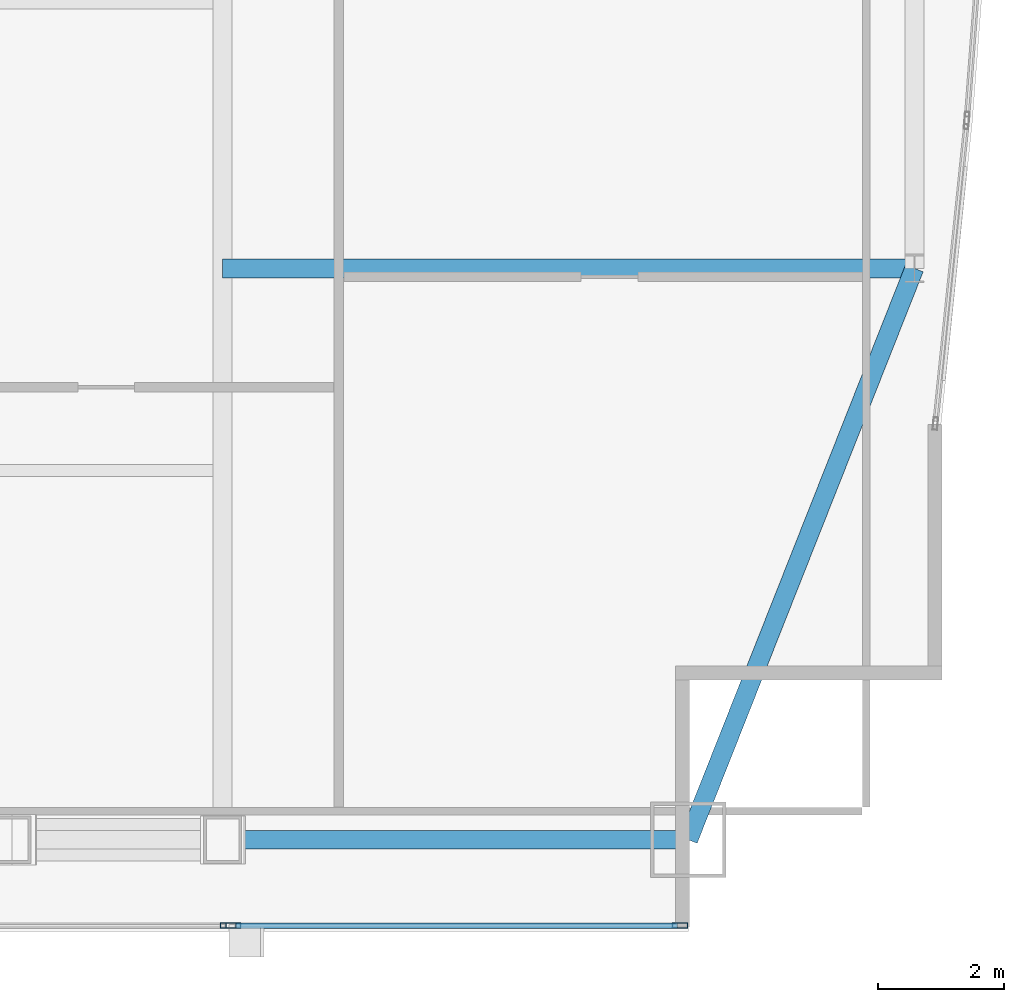
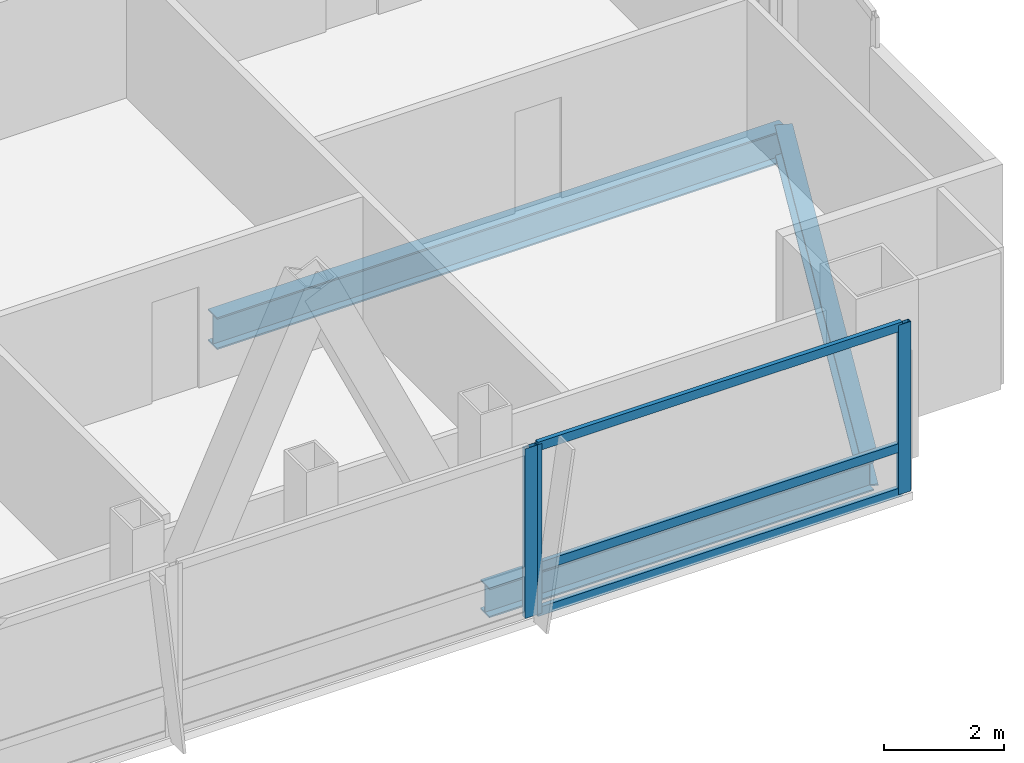
# One storey, part 16 of 32: 6 members, 3 beams, 2 elements without a shape of their own.
"""IFC4 building model written with IfcOpenShell, lengths in metres."""

from ifc_helpers import new_model, si_unit, direction, frame, origin, origin_2d, place, context, subcontext, project, spatial, hollow_rectangle, i_section, extrude, material, material_profile, profile_set, type_object, element, aggregate, save


model = new_model("IFC4")

# Units and contexts
model_context = context("Model", 3, precision=1e-05, world=origin(), true_north=direction((0.0, 1.0)))
body_context = subcontext(model_context, "Body", "Model", "MODEL_VIEW")
ifc_project = project(units=[si_unit("LENGTHUNIT", "METRE"), si_unit("AREAUNIT", "SQUARE_METRE"), si_unit("VOLUMEUNIT", "CUBIC_METRE"), si_unit("PLANEANGLEUNIT", "RADIAN"), si_unit("MASSUNIT", "GRAM", prefix="KILO")], contexts=[model_context])

# Site, building, storey
site_placement = place(None, origin())
site = spatial("IfcSite", under=ifc_project, at=site_placement, CompositionType="ELEMENT")
building_placement = place(site_placement, origin())
building = spatial("IfcBuilding", under=site, at=building_placement, Name="Khoronbel Lancet Exchange", CompositionType="ELEMENT")
storey_placement = place(building_placement, frame((0.0, 0.0, 231.800048828125)))
storey = spatial("IfcBuildingStorey", under=building, at=storey_placement, Name="L59", CompositionType="ELEMENT", Elevation=231.800048828125)

# Beams
ifc_material_1 = material(Name="Steel S355", Category="steel")
ifc_material_profile_1 = material_profile(ifc_material_1, i_section(OverallWidth=0.300048828125, OverallDepth=0.64990234375, WebThickness=0.01611328125, FlangeThickness=0.031005859375, at=origin_2d()), Name="HEB 650")
ifc_profile_set_1 = profile_set([ifc_material_profile_1], Name="Steel S355")
beam_type_1 = type_object("IfcBeamType", Name="BM-BG4", PredefinedType="BEAM", material=ifc_profile_set_1)
beam_1_placement = place(storey_placement, frame((54.675048828125, 19.199951171875, -0.485107421875), z_axis=(1.0, 0.0, 0.0), x_axis=(0.0, 1.0, 0.0)))
element("IfcBeam", 1, at=beam_1_placement, inside=storey, type_object=beam_type_1, Name="Level L59 east lens tie girder LG1E", PredefinedType="BEAM", context=body_context, shape_type="SweptSolid", body=[
    extrude(i_section(OverallWidth=0.300048828125, OverallDepth=0.64990234375, WebThickness=0.01611328125, FlangeThickness=0.031005859375, at=origin_2d()), origin(), (0.0, 0.0, 1.0), 10.954833984375),
])
ifc_material_profile_2 = material_profile(ifc_material_1, i_section(OverallWidth=0.300048828125, OverallDepth=0.60009765625, WebThickness=0.015380859375, FlangeThickness=0.030029296875, at=origin_2d()), Name="HEB 600")
ifc_profile_set_2 = profile_set([ifc_material_profile_2], Name="Steel S355")
beam_type_2 = type_object("IfcBeamType", Name="BM-BSP2", PredefinedType="SPANDREL", material=ifc_profile_set_2)
beam_2_placement = place(storey_placement, frame((54.675048828125, 10.14990234375, -0.4599609375), z_axis=(1.0, 0.0, 0.0), x_axis=(0.0, 1.0, 0.0)))
element("IfcBeam", 2, at=beam_2_placement, inside=storey, type_object=beam_type_2, Name="Level L59 perimeter spandrel beam SP09", PredefinedType="SPANDREL", context=body_context, shape_type="SweptSolid", body=[
    extrude(i_section(OverallWidth=0.300048828125, OverallDepth=0.60009765625, WebThickness=0.015380859375, FlangeThickness=0.030029296875, at=origin_2d()), origin(), (0.0, 0.0, 1.0), 7.375),
])
beam_3_placement = place(storey_placement, frame((62.050048828125, 10.14990234375, -0.4599609375), z_axis=(0.367828403855, 0.929893684954, 0.0), x_axis=(-0.929893684954, 0.367828403855, 0.0)))
element("IfcBeam", 3, at=beam_3_placement, inside=storey, type_object=beam_type_2, Name="Level L59 perimeter spandrel beam SP10", PredefinedType="SPANDREL", context=body_context, shape_type="SweptSolid", body=[
    extrude(i_section(OverallWidth=0.300048828125, OverallDepth=0.60009765625, WebThickness=0.015380859375, FlangeThickness=0.030029296875, at=origin_2d()), origin(), (0.0, 0.0, 1.0), 9.732421875),
])

# Curtain wall, member
ifc_material_2 = material(Name="Low-E Solar Control Insulating Glass", Category="glass")
curtain_wall_type = type_object("IfcCurtainWallType", Name="CW-3", PredefinedType="NOTDEFINED", material=ifc_material_2)
curtain_wall_1_placement = place(storey_placement, origin())
curtain_wall_1 = element("IfcCurtainWall", 4, at=curtain_wall_1_placement, inside=storey, type_object=curtain_wall_type, Name="Unitised curtain wall CW-L59-SEB", PredefinedType="NOTDEFINED")
ifc_material_3 = material(Name="Bronze-Anodised Aluminium 6063-T6", Category="aluminium")
ifc_material_profile_3 = material_profile(ifc_material_3, hollow_rectangle(XDim=0.0849609375, YDim=0.239990234375, WallThickness=0.006103515625, at=origin_2d()), Name="ALU MULLION 85x240")
ifc_profile_set_3 = profile_set([ifc_material_profile_3], Name="Bronze-Anodised Aluminium 6063-T6")
member_type_1 = type_object("IfcMemberType", Name="MEM-CWM1", PredefinedType="MULLION", material=ifc_profile_set_3)
member_1_placement = place(storey_placement, frame((54.757568359375, 8.7900390625, 0.0), z_axis=(0.0, 0.0, 1.0), x_axis=(0.0, 1.0, 0.0)))
member_1 = element("IfcMember", 5, at=member_1_placement, type_object=member_type_1, Name="CW3 mullion 2", PredefinedType="MULLION", context=body_context, shape_type="SweptSolid", body=[
    extrude(hollow_rectangle(XDim=0.0849609375, YDim=0.239990234375, WallThickness=0.006103515625, at=origin_2d()), origin(), (0.0, 0.0, 1.0), 3.43994140625),
])
aggregate(curtain_wall_1, [member_1])

# Curtain wall, members
curtain_wall_2_placement = place(storey_placement, origin())
curtain_wall_2 = element("IfcCurtainWall", 6, at=curtain_wall_2_placement, inside=storey, type_object=curtain_wall_type, Name="Unitised curtain wall CW-L59-SEV", PredefinedType="NOTDEFINED")
member_2_placement = place(storey_placement, frame((54.842529296875, 8.7900390625, 0.0), z_axis=(0.0, 0.0, 1.0), x_axis=(0.0, 1.0, 0.0)))
member_2 = element("IfcMember", 7, at=member_2_placement, type_object=member_type_1, Name="CW3 mullion 1", PredefinedType="MULLION", context=body_context, shape_type="SweptSolid", body=[
    extrude(hollow_rectangle(XDim=0.0849609375, YDim=0.239990234375, WallThickness=0.006103515625, at=origin_2d()), origin(), (0.0, 0.0, 1.0), 3.43994140625),
])
member_3_placement = place(storey_placement, frame((61.91748046875, 8.7900390625, 0.0), z_axis=(0.0, 0.0, 1.0), x_axis=(0.0, 1.0, 0.0)))
member_3 = element("IfcMember", 8, at=member_3_placement, type_object=member_type_1, Name="CW3 mullion 2", PredefinedType="MULLION", context=body_context, shape_type="SweptSolid", body=[
    extrude(hollow_rectangle(XDim=0.0849609375, YDim=0.239990234375, WallThickness=0.006103515625, at=origin_2d()), origin(), (0.0, 0.0, 1.0), 3.43994140625),
])
ifc_material_profile_4 = material_profile(ifc_material_3, hollow_rectangle(XDim=0.0849609375, YDim=0.179931640625, WallThickness=0.0048828125, at=origin_2d()), Name="ALU TRANSOM 85x180")
ifc_profile_set_4 = profile_set([ifc_material_profile_4], Name="Bronze-Anodised Aluminium 6063-T6")
member_type_2 = type_object("IfcMemberType", Name="MEM-CWT1", PredefinedType="USERDEFINED", material=ifc_profile_set_4)
member_4_placement = place(storey_placement, frame((54.885009765625, 8.7900390625, 0.04248046875), z_axis=(1.0, 0.0, 0.0), x_axis=(0.0, 1.0, 0.0)))
member_4 = element("IfcMember", 9, at=member_4_placement, type_object=member_type_2, Name="CW3 transom 1.1", ObjectType="TRANSOM", PredefinedType="USERDEFINED", context=body_context, shape_type="SweptSolid", body=[
    extrude(hollow_rectangle(XDim=0.0849609375, YDim=0.179931640625, WallThickness=0.0048828125, at=origin_2d()), origin(), (0.0, 0.0, 1.0), 6.989990234375),
])
member_5_placement = place(storey_placement, frame((54.885009765625, 8.7900390625, 0.949951171875), z_axis=(1.0, 0.0, 0.0), x_axis=(0.0, 1.0, 0.0)))
member_5 = element("IfcMember", 10, at=member_5_placement, type_object=member_type_2, Name="CW3 transom 1.2", ObjectType="TRANSOM", PredefinedType="USERDEFINED", context=body_context, shape_type="SweptSolid", body=[
    extrude(hollow_rectangle(XDim=0.0849609375, YDim=0.179931640625, WallThickness=0.0048828125, at=origin_2d()), origin(), (0.0, 0.0, 1.0), 6.989990234375),
])
member_6_placement = place(storey_placement, frame((54.885009765625, 8.7900390625, 3.3974609375), z_axis=(1.0, 0.0, 0.0), x_axis=(0.0, 1.0, 0.0)))
member_6 = element("IfcMember", 11, at=member_6_placement, type_object=member_type_2, Name="CW3 transom 1.3", ObjectType="TRANSOM", PredefinedType="USERDEFINED", context=body_context, shape_type="SweptSolid", body=[
    extrude(hollow_rectangle(XDim=0.0849609375, YDim=0.179931640625, WallThickness=0.0048828125, at=origin_2d()), origin(), (0.0, 0.0, 1.0), 6.989990234375),
])
aggregate(curtain_wall_2, [member_2, member_3, member_4, member_5, member_6])

save(model, "model.ifc")
